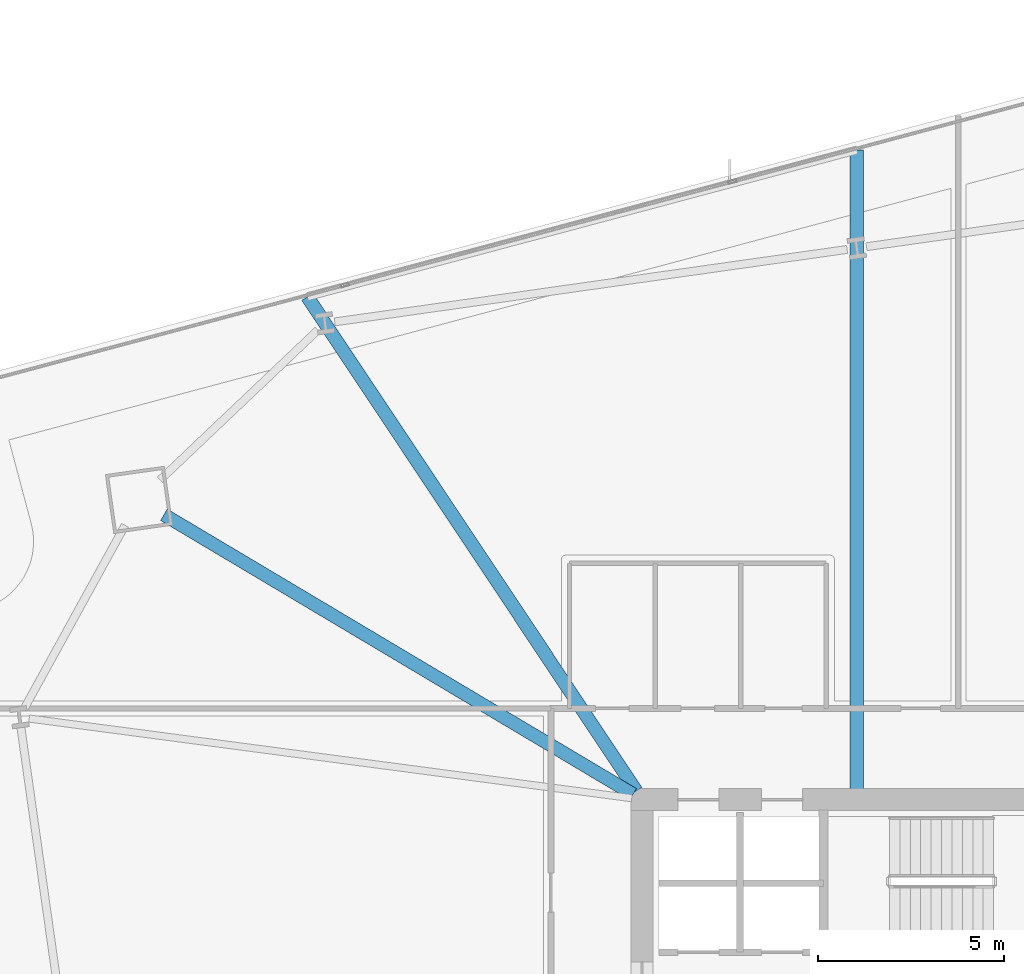
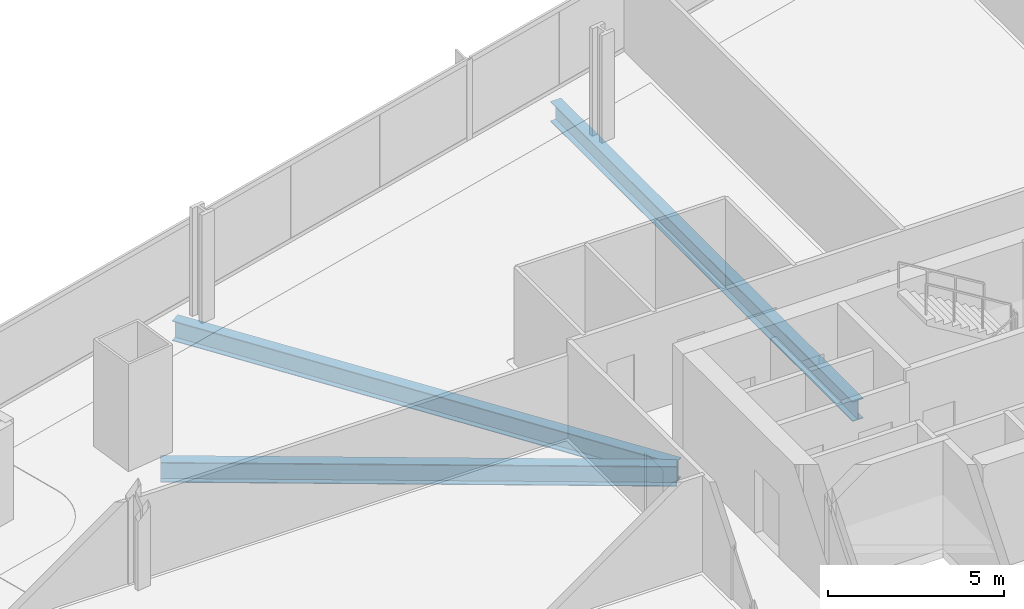
# One storey, part 16 of 33: 3 beams.
"""IFC4 building model written with IfcOpenShell, lengths in metres."""

from ifc_helpers import new_model, si_unit, direction, frame, origin, origin_2d, place, context, subcontext, project, spatial, i_section, extrude, material, material_profile, profile_set, type_object, element, save


model = new_model("IFC4")

# Units and contexts
model_context = context("Model", 3, precision=1e-05, world=origin(), true_north=direction((0.0, 1.0)))
body_context = subcontext(model_context, "Body", "Model", "MODEL_VIEW")
ifc_project = project(units=[si_unit("LENGTHUNIT", "METRE"), si_unit("AREAUNIT", "SQUARE_METRE"), si_unit("VOLUMEUNIT", "CUBIC_METRE"), si_unit("PLANEANGLEUNIT", "RADIAN"), si_unit("MASSUNIT", "GRAM", prefix="KILO")], contexts=[model_context])

# Site, building, storey
site_placement = place(None, origin())
site = spatial("IfcSite", under=ifc_project, at=site_placement, CompositionType="ELEMENT")
building_placement = place(site_placement, origin())
building = spatial("IfcBuilding", under=site, at=building_placement, Name="Haldenkirk Collegiate Tower", CompositionType="ELEMENT")
storey_placement = place(building_placement, frame((0.0, 0.0, 77.699951171875)))
storey = spatial("IfcBuildingStorey", under=building, at=storey_placement, Name="L18", CompositionType="ELEMENT", Elevation=77.699951171875)

# Beams
ifc_material = material(Name="Steel ASTM A992 Grade 50", Category="steel")
ifc_material_profile = material_profile(ifc_material, i_section(OverallWidth=0.35498046875, OverallDepth=0.696044921875, WebThickness=0.015380859375, FlangeThickness=0.02490234375, at=origin_2d()), Name="W27X146")
ifc_profile_set = profile_set([ifc_material_profile], Name="Steel ASTM A992 Grade 50")
beam_type = type_object("IfcBeamType", Name="BM-GIRDER-W27X146", PredefinedType="BEAM", material=ifc_profile_set)
beam_1_placement = place(storey_placement, frame((14.14990234375, 41.6552734375, -0.657958984375), z_axis=(0.859106056552, -0.511797600225, 0.0), x_axis=(0.511797600225, 0.859106056552, 0.0)))
element("IfcBeam", 1, at=beam_1_placement, inside=storey, type_object=beam_type, Name="L18 primary floor girder 04", PredefinedType="BEAM", context=body_context, shape_type="SweptSolid", body=[
    extrude(i_section(OverallWidth=0.35498046875, OverallDepth=0.696044921875, WebThickness=0.015380859375, FlangeThickness=0.02490234375, at=origin_2d()), origin(), (0.0, 0.0, 1.0), 14.677490234375),
])
beam_2_placement = place(storey_placement, frame((32.772216796875, 51.458984375, -0.657958984375), z_axis=(0.0, -1.0, 0.0), x_axis=(1.0, 0.0, 0.0)))
element("IfcBeam", 2, at=beam_2_placement, inside=storey, type_object=beam_type, Name="L18 primary floor girder 12", PredefinedType="BEAM", context=body_context, shape_type="SweptSolid", body=[
    extrude(i_section(OverallWidth=0.35498046875, OverallDepth=0.696044921875, WebThickness=0.015380859375, FlangeThickness=0.02490234375, at=origin_2d()), origin(), (0.0, 0.0, 1.0), 17.178955078125),
])
beam_3_placement = place(storey_placement, frame((18.0029296875, 47.515380859375, -0.657958984375), z_axis=(0.554135114376, -0.832426738527, 0.0), x_axis=(0.832426738527, 0.554135114376, 0.0)))
element("IfcBeam", 3, at=beam_3_placement, inside=storey, type_object=beam_type, Name="L18 primary floor girder 13", PredefinedType="BEAM", context=body_context, shape_type="SweptSolid", body=[
    extrude(i_section(OverallWidth=0.35498046875, OverallDepth=0.696044921875, WebThickness=0.015380859375, FlangeThickness=0.02490234375, at=origin_2d()), origin(), (0.0, 0.0, 1.0), 15.9560546875),
])

save(model, "model.ifc")
